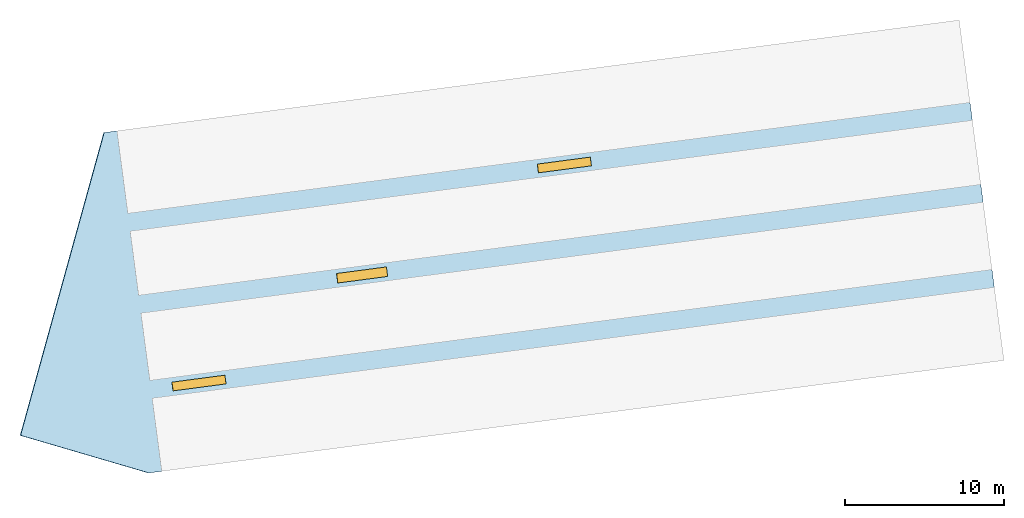
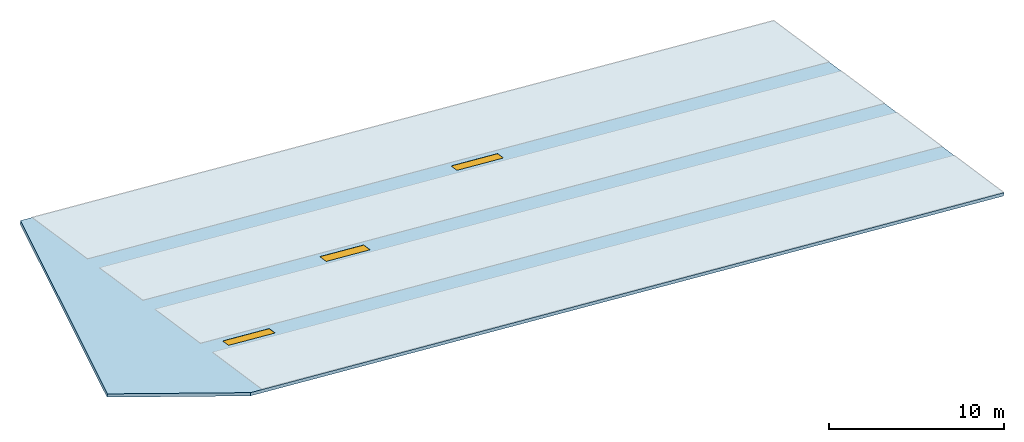
# One storey, part 1 of 2: 3 windows, 1 slab, 3 openings.
"""IFC4 building model written with IfcOpenShell, lengths in metres."""

from ifc_helpers import new_model, si_unit, direction, frame, origin, origin_2d, place, context, subcontext, project, spatial, polyline, rectangle, outline, extrude, material, layer, layer_set, type_object, element, fill, save


model = new_model("IFC4")

# Units and contexts
model_context = context("Model", 3, precision=1e-05, world=origin(), true_north=direction((0.0, 1.0)))
body_context = subcontext(model_context, "Body", "Model", "MODEL_VIEW")
ifc_project = project(units=[si_unit("LENGTHUNIT", "METRE"), si_unit("AREAUNIT", "SQUARE_METRE"), si_unit("VOLUMEUNIT", "CUBIC_METRE"), si_unit("PLANEANGLEUNIT", "RADIAN"), si_unit("MASSUNIT", "GRAM", prefix="KILO")], contexts=[model_context])

# Site, building, storey
site_placement = place(None, origin())
site = spatial("IfcSite", under=ifc_project, at=site_placement, CompositionType="ELEMENT")
building_placement = place(site_placement, origin())
building = spatial("IfcBuilding", under=site, at=building_placement, Name="Kestramere Prow Commons", CompositionType="ELEMENT")
storey_placement = place(building_placement, frame((0.0, 0.0, 47.64990234375)))
storey = spatial("IfcBuildingStorey", under=building, at=storey_placement, Name="ROOF", CompositionType="ELEMENT", Elevation=47.64990234375)

# Slab, openings, windows
ifc_material_1 = material(Name="Precast concrete C40/50", Category="concrete")
ifc_layer = layer(ifc_material_1, 0.219970703125)
ifc_layer_set = layer_set([ifc_layer], Name="Precast concrete C40/50")
slab_type = type_object("IfcSlabType", Name="SL-ROOF-PROW-220", PredefinedType="ROOF", material=ifc_layer_set)
slab_placement = place(storey_placement, frame((2.433349609375, 73.46826171875, 5.78466796875), z_axis=(0.165442328843, 0.021780722386, 0.985978922675), x_axis=(0.948391423364, -0.277749515368, -0.152999721576)))
slab = element("IfcSlab", 1, at=slab_placement, inside=storey, type_object=slab_type, Name="Block A Steep Standing-Seam Prow Roof Slab", PredefinedType="ROOF", context=body_context, shape_type="SweptSolid", body=[
    extrude(outline(polyline([(0.0, 0.0), (8.517463950814273, 4.579669976578771e-16), (58.965598873222156, 21.962318240051406), (50.34368031938442, 41.767002793194564), (-0.10438679308319396, 19.80445007887946), (0.0, 0.0)])), origin(), (0.0, 0.0, -1.0), 0.219970703125),
])
opening_1_placement = place(slab_placement, frame((10.0322265625, 6.330810546875, 0.0), z_axis=(0.0, 0.0, 1.0), x_axis=(0.399229185776, -0.916851164162, 0.0)))
opening_1 = element("IfcOpeningElement", 2, at=opening_1_placement, cuts=slab, Name="Opening SK-01", PredefinedType="OPENING", context=body_context, shape_type="SweptSolid", body=[
    extrude(rectangle(XDim=0.550048828125, YDim=3.39990234375, at=origin_2d()), frame((0.0, 0.0, 0.014892578125), z_axis=(0.0, 0.0, -1.0), x_axis=(1.0, 0.0, 0.0)), (0.0, 0.0, 1.0), 0.25),
])
opening_2_placement = place(slab_placement, frame((18.16259765625, 15.759765625, 0.0), z_axis=(0.0, 0.0, 1.0), x_axis=(0.399229185776, -0.916851164162, 0.0)))
opening_2 = element("IfcOpeningElement", 3, at=opening_2_placement, cuts=slab, Name="Opening SK-02", PredefinedType="OPENING", context=body_context, shape_type="SweptSolid", body=[
    extrude(rectangle(XDim=0.60009765625, YDim=3.199951171875, at=origin_2d()), frame((0.0, 0.0, 0.014892578125), z_axis=(0.0, 0.0, -1.0), x_axis=(1.0, 0.0, 0.0)), (0.0, 0.0, 1.0), 0.25),
])
opening_3_placement = place(slab_placement, frame((28.658447265625, 26.000732421875, 0.0), z_axis=(0.0, 0.0, 1.0), x_axis=(0.399229185776, -0.916851164162, 0.0)))
opening_3 = element("IfcOpeningElement", 4, at=opening_3_placement, cuts=slab, Name="Opening SK-01", PredefinedType="OPENING", context=body_context, shape_type="SweptSolid", body=[
    extrude(rectangle(XDim=0.550048828125, YDim=3.39990234375, at=origin_2d()), frame((0.0, 0.0, 0.014892578125), z_axis=(0.0, 0.0, -1.0), x_axis=(1.0, 0.0, 0.0)), (0.0, 0.0, 1.0), 0.25),
])
ifc_material_2 = material(Name="Triple-Laminated Solar-Control Skylight Glazing", Category="glass")
window_type_1 = type_object("IfcWindowType", Name="SK-PROW-2400", PartitioningType="SINGLE_PANEL", PredefinedType="SKYLIGHT", material=ifc_material_2)
window_1_placement = place(opening_1_placement, frame((0.0, 0.0, -0.010009765625)))
window_1 = element("IfcWindow", 5, at=window_1_placement, inside=storey, type_object=window_type_1, Name="Block A Prow Linear Slot Skylight 1", OverallHeight=3.39990234375, OverallWidth=0.550048828125, PartitioningType="SINGLE_PANEL", PredefinedType="SKYLIGHT", context=body_context, shape_type="SweptSolid", body=[
    extrude(rectangle(XDim=0.550048828125, YDim=3.39990234375, at=origin_2d()), frame((0.0, 0.0, 0.0), z_axis=(0.0, 0.0, -1.0), x_axis=(1.0, 0.0, 0.0)), (0.0, 0.0, 1.0), 0.06005859375),
])
fill(opening_1, window_1)
window_2_placement = place(opening_3_placement, frame((0.0, 0.0, -0.010009765625)))
window_2 = element("IfcWindow", 6, at=window_2_placement, inside=storey, type_object=window_type_1, Name="Block A Prow Linear Slot Skylight 3", OverallHeight=3.39990234375, OverallWidth=0.550048828125, PartitioningType="SINGLE_PANEL", PredefinedType="SKYLIGHT", context=body_context, shape_type="SweptSolid", body=[
    extrude(rectangle(XDim=0.550048828125, YDim=3.39990234375, at=origin_2d()), frame((0.0, 0.0, 0.0), z_axis=(0.0, 0.0, -1.0), x_axis=(1.0, 0.0, 0.0)), (0.0, 0.0, 1.0), 0.06005859375),
])
fill(opening_3, window_2)
window_type_2 = type_object("IfcWindowType", Name="SK-PROW-3000", PartitioningType="SINGLE_PANEL", PredefinedType="SKYLIGHT", material=ifc_material_2)
window_3_placement = place(opening_2_placement, frame((0.0, 0.0, -0.010009765625)))
window_3 = element("IfcWindow", 7, at=window_3_placement, inside=storey, type_object=window_type_2, Name="Block A Prow Linear Slot Skylight 2", OverallHeight=3.199951171875, OverallWidth=0.60009765625, PartitioningType="SINGLE_PANEL", PredefinedType="SKYLIGHT", context=body_context, shape_type="SweptSolid", body=[
    extrude(rectangle(XDim=0.60009765625, YDim=3.199951171875, at=origin_2d()), frame((0.0, 0.0, 0.0), z_axis=(0.0, 0.0, -1.0), x_axis=(1.0, 0.0, 0.0)), (0.0, 0.0, 1.0), 0.06005859375),
])
fill(opening_2, window_3)

save(model, "model.ifc")
